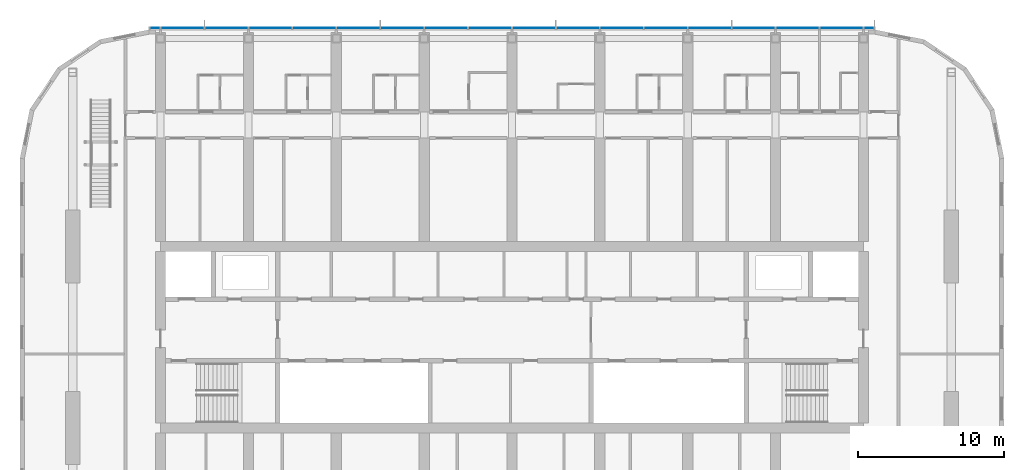
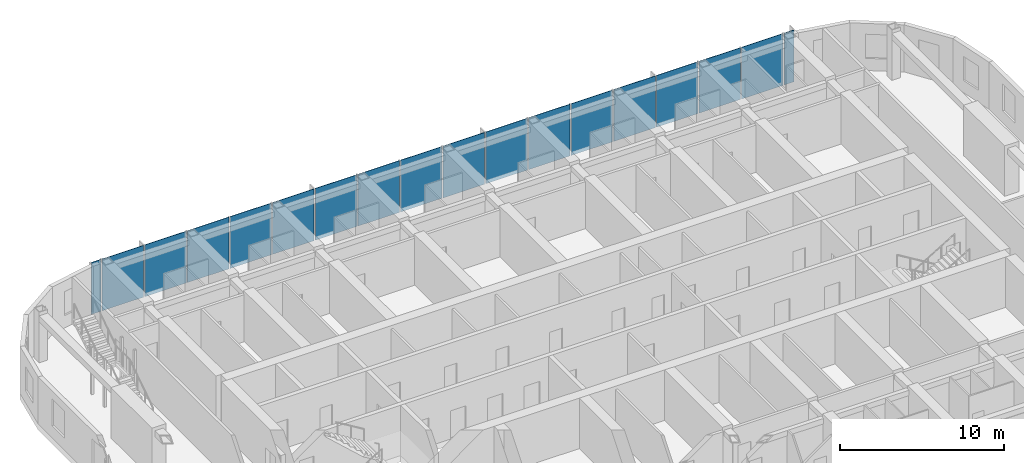
# One storey, part 11 of 27: 18 plates, 1 element without a shape of its own.
"""IFC4 building model written with IfcOpenShell, lengths in metres."""

from ifc_helpers import new_model, si_unit, direction, frame, origin, origin_2d, place, context, subcontext, project, spatial, rectangle, extrude, material, layer, layer_set, type_object, element, aggregate, save


model = new_model("IFC4")

# Units and contexts
model_context = context("Model", 3, precision=1e-05, world=origin(), true_north=direction((0.0, 1.0)))
body_context = subcontext(model_context, "Body", "Model", "MODEL_VIEW")
ifc_project = project(units=[si_unit("LENGTHUNIT", "METRE"), si_unit("AREAUNIT", "SQUARE_METRE"), si_unit("VOLUMEUNIT", "CUBIC_METRE"), si_unit("PLANEANGLEUNIT", "RADIAN"), si_unit("MASSUNIT", "GRAM", prefix="KILO")], contexts=[model_context])

# Site, building, storey
site_placement = place(None, origin())
site = spatial("IfcSite", under=ifc_project, at=site_placement, CompositionType="ELEMENT")
building_placement = place(site_placement, origin())
building = spatial("IfcBuilding", under=site, at=building_placement, Name="Orbita Commons", CompositionType="ELEMENT")
storey_placement = place(building_placement, frame((0.0, 0.0, 246.550048828125)))
storey = spatial("IfcBuildingStorey", under=building, at=storey_placement, Name="L61", CompositionType="ELEMENT", Elevation=246.550048828125)

# Curtain wall, plates
ifc_material_1 = material(Name="Anodised aluminium frame, pale silver", Category="aluminium")
curtain_wall_type = type_object("IfcCurtainWallType", Name="Unitised curtain wall CW-U, full-height vision", PredefinedType="NOTDEFINED", material=ifc_material_1)
curtain_wall_placement = place(storey_placement, origin())
curtain_wall = element("IfcCurtainWall", 1, at=curtain_wall_placement, inside=storey, type_object=curtain_wall_type, Name="Curtain wall north L61", PredefinedType="NOTDEFINED")
ifc_material_2 = material(Name="Clear double glazing", Category="glass")
ifc_layer = layer(ifc_material_2, 0.031982421875)
ifc_layer_set = layer_set([ifc_layer], Name="Clear double glazing")
plate_type = type_object("IfcPlateType", Name="Full-height vision panel, clear glazing 32", PredefinedType="CURTAIN_PANEL", material=ifc_layer_set)
plate_1_placement = place(storey_placement, frame((66.3798828125, 53.110107421875, -0.35009765625), z_axis=(0.0, 0.0, 1.0), x_axis=(-1.0, 0.0, 0.0)))
plate_1 = element("IfcPlate", 2, at=plate_1_placement, type_object=plate_type, Name="Panel 1.1 CW-L61-N", PredefinedType="CURTAIN_PANEL", context=body_context, shape_type="SweptSolid", body=[
    extrude(rectangle(XDim=0.679931640625, YDim=0.031982421875, at=origin_2d()), origin(), (0.0, 0.0, 1.0), 3.85009765625),
])
plate_2_placement = place(storey_placement, frame((64.5, 53.110107421875, -0.35009765625), z_axis=(0.0, 0.0, 1.0), x_axis=(-1.0, 0.0, 0.0)))
plate_2 = element("IfcPlate", 3, at=plate_2_placement, type_object=plate_type, Name="Panel 2.1 CW-L61-N", PredefinedType="CURTAIN_PANEL", context=body_context, shape_type="SweptSolid", body=[
    extrude(rectangle(XDim=2.919921875, YDim=0.031982421875, at=origin_2d()), origin(), (0.0, 0.0, 1.0), 3.85009765625),
])
plate_3_placement = place(storey_placement, frame((61.5, 53.110107421875, -0.35009765625), z_axis=(0.0, 0.0, 1.0), x_axis=(-1.0, 0.0, 0.0)))
plate_3 = element("IfcPlate", 4, at=plate_3_placement, type_object=plate_type, Name="Panel 3.1 CW-L61-N", PredefinedType="CURTAIN_PANEL", context=body_context, shape_type="SweptSolid", body=[
    extrude(rectangle(XDim=2.919921875, YDim=0.031982421875, at=origin_2d()), origin(), (0.0, 0.0, 1.0), 3.85009765625),
])
plate_4_placement = place(storey_placement, frame((58.5, 53.110107421875, -0.35009765625), z_axis=(0.0, 0.0, 1.0), x_axis=(-1.0, 0.0, 0.0)))
plate_4 = element("IfcPlate", 5, at=plate_4_placement, type_object=plate_type, Name="Panel 4.1 CW-L61-N", PredefinedType="CURTAIN_PANEL", context=body_context, shape_type="SweptSolid", body=[
    extrude(rectangle(XDim=2.919921875, YDim=0.031982421875, at=origin_2d()), origin(), (0.0, 0.0, 1.0), 3.85009765625),
])
plate_5_placement = place(storey_placement, frame((55.5, 53.110107421875, -0.35009765625), z_axis=(0.0, 0.0, 1.0), x_axis=(-1.0, 0.0, 0.0)))
plate_5 = element("IfcPlate", 6, at=plate_5_placement, type_object=plate_type, Name="Panel 5.1 CW-L61-N", PredefinedType="CURTAIN_PANEL", context=body_context, shape_type="SweptSolid", body=[
    extrude(rectangle(XDim=2.919921875, YDim=0.031982421875, at=origin_2d()), origin(), (0.0, 0.0, 1.0), 3.85009765625),
])
plate_6_placement = place(storey_placement, frame((52.5, 53.110107421875, -0.35009765625), z_axis=(0.0, 0.0, 1.0), x_axis=(-1.0, 0.0, 0.0)))
plate_6 = element("IfcPlate", 7, at=plate_6_placement, type_object=plate_type, Name="Panel 6.1 CW-L61-N", PredefinedType="CURTAIN_PANEL", context=body_context, shape_type="SweptSolid", body=[
    extrude(rectangle(XDim=2.919921875, YDim=0.031982421875, at=origin_2d()), origin(), (0.0, 0.0, 1.0), 3.85009765625),
])
plate_7_placement = place(storey_placement, frame((49.5, 53.110107421875, -0.35009765625), z_axis=(0.0, 0.0, 1.0), x_axis=(-1.0, 0.0, 0.0)))
plate_7 = element("IfcPlate", 8, at=plate_7_placement, type_object=plate_type, Name="Panel 7.1 CW-L61-N", PredefinedType="CURTAIN_PANEL", context=body_context, shape_type="SweptSolid", body=[
    extrude(rectangle(XDim=2.919921875, YDim=0.031982421875, at=origin_2d()), origin(), (0.0, 0.0, 1.0), 3.85009765625),
])
plate_8_placement = place(storey_placement, frame((46.5, 53.110107421875, -0.35009765625), z_axis=(0.0, 0.0, 1.0), x_axis=(-1.0, 0.0, 0.0)))
plate_8 = element("IfcPlate", 9, at=plate_8_placement, type_object=plate_type, Name="Panel 8.1 CW-L61-N", PredefinedType="CURTAIN_PANEL", context=body_context, shape_type="SweptSolid", body=[
    extrude(rectangle(XDim=2.919921875, YDim=0.031982421875, at=origin_2d()), origin(), (0.0, 0.0, 1.0), 3.85009765625),
])
plate_9_placement = place(storey_placement, frame((43.5, 53.110107421875, -0.35009765625), z_axis=(0.0, 0.0, 1.0), x_axis=(-1.0, 0.0, 0.0)))
plate_9 = element("IfcPlate", 10, at=plate_9_placement, type_object=plate_type, Name="Panel 9.1 CW-L61-N", PredefinedType="CURTAIN_PANEL", context=body_context, shape_type="SweptSolid", body=[
    extrude(rectangle(XDim=2.919921875, YDim=0.031982421875, at=origin_2d()), origin(), (0.0, 0.0, 1.0), 3.85009765625),
])
plate_10_placement = place(storey_placement, frame((40.5, 53.110107421875, -0.35009765625), z_axis=(0.0, 0.0, 1.0), x_axis=(-1.0, 0.0, 0.0)))
plate_10 = element("IfcPlate", 11, at=plate_10_placement, type_object=plate_type, Name="Panel 10.1 CW-L61-N", PredefinedType="CURTAIN_PANEL", context=body_context, shape_type="SweptSolid", body=[
    extrude(rectangle(XDim=2.919921875, YDim=0.031982421875, at=origin_2d()), origin(), (0.0, 0.0, 1.0), 3.85009765625),
])
plate_11_placement = place(storey_placement, frame((37.5, 53.110107421875, -0.35009765625), z_axis=(0.0, 0.0, 1.0), x_axis=(-1.0, 0.0, 0.0)))
plate_11 = element("IfcPlate", 12, at=plate_11_placement, type_object=plate_type, Name="Panel 11.1 CW-L61-N", PredefinedType="CURTAIN_PANEL", context=body_context, shape_type="SweptSolid", body=[
    extrude(rectangle(XDim=2.919921875, YDim=0.031982421875, at=origin_2d()), origin(), (0.0, 0.0, 1.0), 3.85009765625),
])
plate_12_placement = place(storey_placement, frame((34.5, 53.110107421875, -0.35009765625), z_axis=(0.0, 0.0, 1.0), x_axis=(-1.0, 0.0, 0.0)))
plate_12 = element("IfcPlate", 13, at=plate_12_placement, type_object=plate_type, Name="Panel 12.1 CW-L61-N", PredefinedType="CURTAIN_PANEL", context=body_context, shape_type="SweptSolid", body=[
    extrude(rectangle(XDim=2.919921875, YDim=0.031982421875, at=origin_2d()), origin(), (0.0, 0.0, 1.0), 3.85009765625),
])
plate_13_placement = place(storey_placement, frame((31.5, 53.110107421875, -0.35009765625), z_axis=(0.0, 0.0, 1.0), x_axis=(-1.0, 0.0, 0.0)))
plate_13 = element("IfcPlate", 14, at=plate_13_placement, type_object=plate_type, Name="Panel 13.1 CW-L61-N", PredefinedType="CURTAIN_PANEL", context=body_context, shape_type="SweptSolid", body=[
    extrude(rectangle(XDim=2.919921875, YDim=0.031982421875, at=origin_2d()), origin(), (0.0, 0.0, 1.0), 3.85009765625),
])
plate_14_placement = place(storey_placement, frame((28.5, 53.110107421875, -0.35009765625), z_axis=(0.0, 0.0, 1.0), x_axis=(-1.0, 0.0, 0.0)))
plate_14 = element("IfcPlate", 15, at=plate_14_placement, type_object=plate_type, Name="Panel 14.1 CW-L61-N", PredefinedType="CURTAIN_PANEL", context=body_context, shape_type="SweptSolid", body=[
    extrude(rectangle(XDim=2.919921875, YDim=0.031982421875, at=origin_2d()), origin(), (0.0, 0.0, 1.0), 3.85009765625),
])
plate_15_placement = place(storey_placement, frame((25.5, 53.110107421875, -0.35009765625), z_axis=(0.0, 0.0, 1.0), x_axis=(-1.0, 0.0, 0.0)))
plate_15 = element("IfcPlate", 16, at=plate_15_placement, type_object=plate_type, Name="Panel 15.1 CW-L61-N", PredefinedType="CURTAIN_PANEL", context=body_context, shape_type="SweptSolid", body=[
    extrude(rectangle(XDim=2.919921875, YDim=0.031982421875, at=origin_2d()), origin(), (0.0, 0.0, 1.0), 3.85009765625),
])
plate_16_placement = place(storey_placement, frame((22.5, 53.110107421875, -0.35009765625), z_axis=(0.0, 0.0, 1.0), x_axis=(-1.0, 0.0, 0.0)))
plate_16 = element("IfcPlate", 17, at=plate_16_placement, type_object=plate_type, Name="Panel 16.1 CW-L61-N", PredefinedType="CURTAIN_PANEL", context=body_context, shape_type="SweptSolid", body=[
    extrude(rectangle(XDim=2.919921875, YDim=0.031982421875, at=origin_2d()), origin(), (0.0, 0.0, 1.0), 3.85009765625),
])
plate_17_placement = place(storey_placement, frame((19.5, 53.110107421875, -0.35009765625), z_axis=(0.0, 0.0, 1.0), x_axis=(-1.0, 0.0, 0.0)))
plate_17 = element("IfcPlate", 18, at=plate_17_placement, type_object=plate_type, Name="Panel 17.1 CW-L61-N", PredefinedType="CURTAIN_PANEL", context=body_context, shape_type="SweptSolid", body=[
    extrude(rectangle(XDim=2.919921875, YDim=0.031982421875, at=origin_2d()), origin(), (0.0, 0.0, 1.0), 3.85009765625),
])
plate_18_placement = place(storey_placement, frame((17.6201171875, 53.110107421875, -0.35009765625), z_axis=(0.0, 0.0, 1.0), x_axis=(-1.0, 0.0, 0.0)))
plate_18 = element("IfcPlate", 19, at=plate_18_placement, type_object=plate_type, Name="Panel 18.1 CW-L61-N", PredefinedType="CURTAIN_PANEL", context=body_context, shape_type="SweptSolid", body=[
    extrude(rectangle(XDim=0.679931640625, YDim=0.031982421875, at=origin_2d()), origin(), (0.0, 0.0, 1.0), 3.85009765625),
])
aggregate(curtain_wall, [plate_1, plate_2, plate_3, plate_4, plate_5, plate_6, plate_7, plate_8, plate_9, plate_10, plate_11, plate_12, plate_13, plate_14, plate_15, plate_16, plate_17, plate_18])

save(model, "model.ifc")
